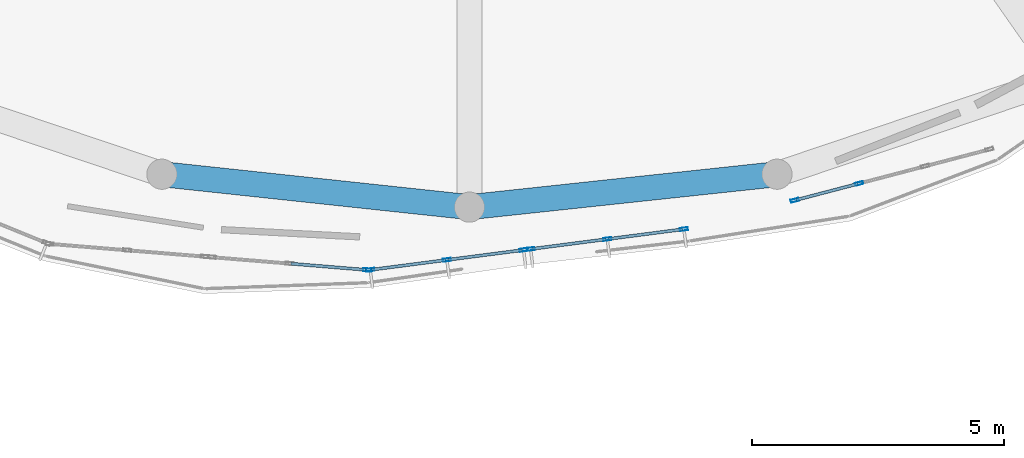
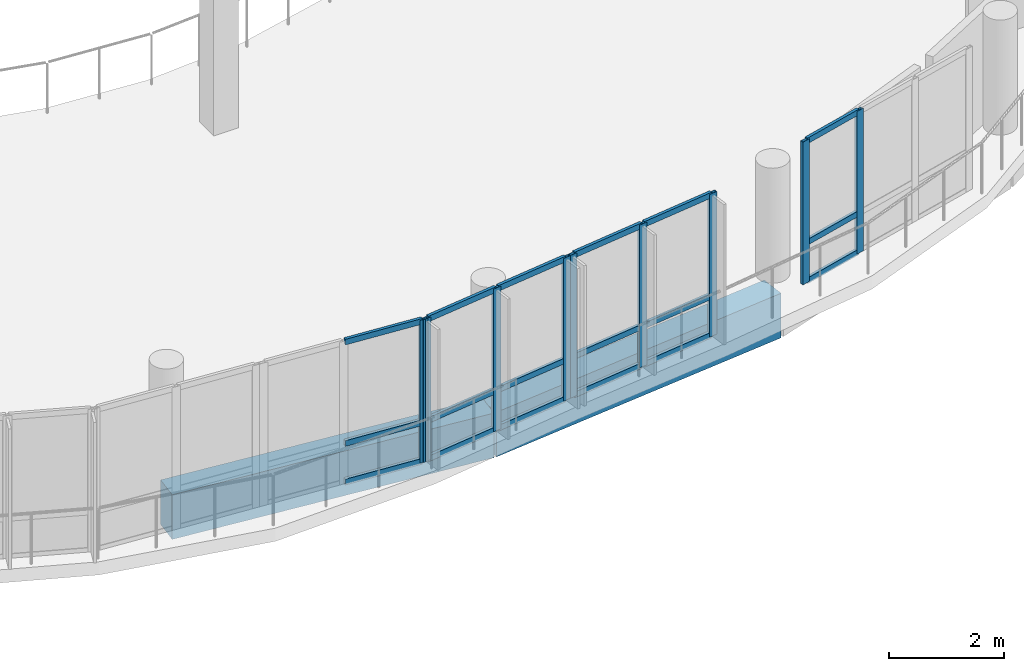
# One storey, part 6 of 43: 27 members, 2 beams, 4 elements without a shape of their own.
"""IFC4 building model written with IfcOpenShell, lengths in metres."""

from ifc_helpers import new_model, si_unit, derived_unit, direction, frame, origin, origin_2d, place, context, subcontext, project, spatial, rectangle, hollow_rectangle, extrude, material, layer, layer_set, material_profile, profile_set, type_object, element, aggregate, save


model = new_model("IFC4")

# Units and contexts
model_context = context("Model", 3, precision=1e-05, world=origin(), true_north=direction((0.0, 1.0)))
body_context = subcontext(model_context, "Body", "Model", "MODEL_VIEW")
ifc_project = project(units=[si_unit("LENGTHUNIT", "METRE"), si_unit("AREAUNIT", "SQUARE_METRE"), si_unit("VOLUMEUNIT", "CUBIC_METRE"), si_unit("PLANEANGLEUNIT", "RADIAN"), si_unit("MASSUNIT", "GRAM", prefix="KILO"), derived_unit("THERMALTRANSMITTANCEUNIT", [(si_unit("POWERUNIT", "WATT"), 1), (si_unit("LENGTHUNIT", "METRE"), -2), (si_unit("THERMODYNAMICTEMPERATUREUNIT", "KELVIN"), -1)])], contexts=[model_context])

# Site, building, storey
site_placement = place(None, origin())
site = spatial("IfcSite", under=ifc_project, at=site_placement, CompositionType="ELEMENT")
building_placement = place(site_placement, origin())
building = spatial("IfcBuilding", under=site, at=building_placement, Name="Elbkamm Science Centre", CompositionType="ELEMENT")
storey_placement = place(building_placement, frame((0.0, 0.0, 18.300048828125)))
storey = spatial("IfcBuildingStorey", under=building, at=storey_placement, Name="L04", CompositionType="ELEMENT", Elevation=18.300048828125)

# Beams
ifc_material_1 = material(Name="Concrete C40/50", Category="concrete")
ifc_material_profile_1 = material_profile(ifc_material_1, rectangle(XDim=0.5, YDim=0.949951171875, at=origin_2d()), Name="RC 500x950")
ifc_profile_set_1 = profile_set([ifc_material_profile_1], Name="Concrete C40/50")
beam_type = type_object("IfcBeamType", Name="BM-RC-500x950", PredefinedType="BEAM", material=ifc_profile_set_1)
for number, where, z_axis, x_axis, name in (
    (1, (56.89208984375, 48.654052734375, -0.755126953125), (0.994315467109, -0.106474184043, 0.0), (0.106474184043, 0.994315467109, 0.0), "L04 Elliptical Shell Perimeter Ring Beam 18"),
    (2, (63.0, 48.0, -0.755126953125), (0.994315467109, 0.106474184043, 0.0), (-0.106474184043, 0.994315467109, 0.0), "L04 Elliptical Shell Perimeter Ring Beam 19"),
):
    element("IfcBeam", number, at=place(storey_placement, frame(where, z_axis=z_axis, x_axis=x_axis)), inside=storey, type_object=beam_type, Name=name, PredefinedType="SPANDREL", context=body_context, shape_type="SweptSolid", body=[
        extrude(rectangle(XDim=0.5, YDim=0.949951171875, at=origin_2d()), origin(), (0.0, 0.0, 1.0), 6.142822265625),
    ])

# Curtain wall, member
ifc_material_2 = material(Name="Powder-coated aluminium and triple low-E glazing", Category="aluminium")
ifc_layer_1 = layer(ifc_material_2, 0.159912109375)
ifc_layer_set_1 = layer_set([ifc_layer_1], Name="Powder-coated aluminium and triple low-E glazing")
curtain_wall_type_1 = type_object("IfcCurtainWallType", Name="CW-UNIT-3160x3040", PredefinedType="USERDEFINED", material=ifc_layer_set_1)
curtain_wall_1_placement = place(storey_placement, origin())
curtain_wall_1 = element("IfcCurtainWall", 3, at=curtain_wall_1_placement, inside=storey, type_object=curtain_wall_type_1, Name="L04 Unitised Curtain Wall 097", ObjectType="UNITISED CURTAIN WALL", PredefinedType="USERDEFINED")
ifc_material_3 = material(Name="Powder-coated aluminium EN AW-6060", Category="aluminium")
ifc_material_profile_2 = material_profile(ifc_material_3, hollow_rectangle(XDim=0.06005859375, YDim=0.159912109375, WallThickness=0.00390625, at=origin_2d()), Name="ALU M60x160")
ifc_profile_set_2 = profile_set([ifc_material_profile_2], Name="Powder-coated aluminium EN AW-6060")
member_type_1 = type_object("IfcMemberType", Name="CW-MUL-60x160", PredefinedType="MULLION", material=ifc_profile_set_2)
member_1_placement = place(storey_placement, frame((60.97021484375, 46.75244140625, 0.0), z_axis=(0.0, 0.0, 1.0), x_axis=(0.081820228887, 0.996647104117, 0.0)))
member_1 = element("IfcMember", 4, at=member_1_placement, type_object=member_type_1, Name="CW-047 mullion 3", PredefinedType="MULLION", context=body_context, shape_type="SweptSolid", body=[
    extrude(hollow_rectangle(XDim=0.06005859375, YDim=0.159912109375, WallThickness=0.00390625, at=origin_2d()), origin(), (0.0, 0.0, 1.0), 3.0400390625),
])

# Curtain wall, members
ifc_layer_2 = layer(ifc_material_2, 0.159912109375)
ifc_layer_set_2 = layer_set([ifc_layer_2], Name="Powder-coated aluminium and triple low-E glazing")
curtain_wall_type_2 = type_object("IfcCurtainWallType", Name="CW-UNIT-3140x3040", PredefinedType="USERDEFINED", material=ifc_layer_set_2)
curtain_wall_2_placement = place(storey_placement, origin())
curtain_wall_2 = element("IfcCurtainWall", 5, at=curtain_wall_2_placement, inside=storey, type_object=curtain_wall_type_2, Name="L04 Unitised Curtain Wall 098", ObjectType="UNITISED CURTAIN WALL", PredefinedType="USERDEFINED")
member_2_placement = place(storey_placement, frame((61.02978515625, 46.75390625, 0.0), z_axis=(0.0, 0.0, 1.0), x_axis=(-0.128754721912, 0.991676470219, 0.0)))
member_2 = element("IfcMember", 6, at=member_2_placement, type_object=member_type_1, Name="CW-048 mullion 1", PredefinedType="MULLION", context=body_context, shape_type="SweptSolid", body=[
    extrude(hollow_rectangle(XDim=0.06005859375, YDim=0.159912109375, WallThickness=0.00390625, at=origin_2d()), origin(), (0.0, 0.0, 1.0), 3.0400390625),
])
member_3_placement = place(storey_placement, frame((62.55224609375, 46.95166015625, 0.0), z_axis=(0.0, 0.0, 1.0), x_axis=(-0.128754721912, 0.991676470219, 0.0)))
member_3 = element("IfcMember", 7, at=member_3_placement, type_object=member_type_1, Name="CW-048 mullion 2", PredefinedType="MULLION", context=body_context, shape_type="SweptSolid", body=[
    extrude(hollow_rectangle(XDim=0.06005859375, YDim=0.159912109375, WallThickness=0.00390625, at=origin_2d()), origin(), (0.0, 0.0, 1.0), 3.0400390625),
])
member_4_placement = place(storey_placement, frame((64.074951171875, 47.149169921875, 0.0), z_axis=(0.0, 0.0, 1.0), x_axis=(-0.128754721912, 0.991676470219, 0.0)))
member_4 = element("IfcMember", 8, at=member_4_placement, type_object=member_type_1, Name="CW-048 mullion 3", PredefinedType="MULLION", context=body_context, shape_type="SweptSolid", body=[
    extrude(hollow_rectangle(XDim=0.06005859375, YDim=0.159912109375, WallThickness=0.00390625, at=origin_2d()), origin(), (0.0, 0.0, 1.0), 3.0400390625),
])

curtain_wall_3_placement = place(storey_placement, origin())
curtain_wall_3 = element("IfcCurtainWall", 9, at=curtain_wall_3_placement, inside=storey, type_object=curtain_wall_type_2, Name="L04 Unitised Curtain Wall 099", ObjectType="UNITISED CURTAIN WALL", PredefinedType="USERDEFINED")
member_5_placement = place(storey_placement, frame((64.2138671875, 47.167236328125, 0.0), z_axis=(0.0, 0.0, 1.0), x_axis=(-0.128754721912, 0.991676470219, 0.0)))
member_5 = element("IfcMember", 10, at=member_5_placement, type_object=member_type_1, Name="CW-048 mullion 1", PredefinedType="MULLION", context=body_context, shape_type="SweptSolid", body=[
    extrude(hollow_rectangle(XDim=0.06005859375, YDim=0.159912109375, WallThickness=0.00390625, at=origin_2d()), origin(), (0.0, 0.0, 1.0), 3.0400390625),
])
member_6_placement = place(storey_placement, frame((65.736328125, 47.36474609375, 0.0), z_axis=(0.0, 0.0, 1.0), x_axis=(-0.128754721912, 0.991676470219, 0.0)))
member_6 = element("IfcMember", 11, at=member_6_placement, type_object=member_type_1, Name="CW-048 mullion 2", PredefinedType="MULLION", context=body_context, shape_type="SweptSolid", body=[
    extrude(hollow_rectangle(XDim=0.06005859375, YDim=0.159912109375, WallThickness=0.00390625, at=origin_2d()), origin(), (0.0, 0.0, 1.0), 3.0400390625),
])
member_7_placement = place(storey_placement, frame((67.259033203125, 47.5625, 0.0), z_axis=(0.0, 0.0, 1.0), x_axis=(-0.128754721912, 0.991676470219, 0.0)))
member_7 = element("IfcMember", 12, at=member_7_placement, type_object=member_type_1, Name="CW-048 mullion 3", PredefinedType="MULLION", context=body_context, shape_type="SweptSolid", body=[
    extrude(hollow_rectangle(XDim=0.06005859375, YDim=0.159912109375, WallThickness=0.00390625, at=origin_2d()), origin(), (0.0, 0.0, 1.0), 3.0400390625),
])

ifc_layer_3 = layer(ifc_material_2, 0.159912109375)
ifc_layer_set_3 = layer_set([ifc_layer_3], Name="Powder-coated aluminium and triple low-E glazing")
curtain_wall_type_3 = type_object("IfcCurtainWallType", Name="CW-UNIT-4060x3040", PredefinedType="USERDEFINED", material=ifc_layer_set_3)
curtain_wall_4_placement = place(storey_placement, origin())
curtain_wall_4 = element("IfcCurtainWall", 13, at=curtain_wall_4_placement, inside=storey, type_object=curtain_wall_type_3, Name="L04 Unitised Curtain Wall 100", ObjectType="UNITISED CURTAIN WALL", PredefinedType="USERDEFINED")
member_8_placement = place(storey_placement, frame((69.460205078125, 48.134765625, 0.0), z_axis=(0.0, 0.0, 1.0), x_axis=(-0.253208377553, 0.967411762145, 0.0)))
member_8 = element("IfcMember", 14, at=member_8_placement, type_object=member_type_1, Name="CW-049 mullion 1", PredefinedType="MULLION", context=body_context, shape_type="SweptSolid", body=[
    extrude(hollow_rectangle(XDim=0.06005859375, YDim=0.159912109375, WallThickness=0.00390625, at=origin_2d()), origin(), (0.0, 0.0, 1.0), 3.0400390625),
])
member_9_placement = place(storey_placement, frame((70.73974609375, 48.4697265625, 0.0), z_axis=(0.0, 0.0, 1.0), x_axis=(-0.253208377553, 0.967411762145, 0.0)))
member_9 = element("IfcMember", 15, at=member_9_placement, type_object=member_type_1, Name="CW-049 mullion 2", PredefinedType="MULLION", context=body_context, shape_type="SweptSolid", body=[
    extrude(hollow_rectangle(XDim=0.06005859375, YDim=0.159912109375, WallThickness=0.00390625, at=origin_2d()), origin(), (0.0, 0.0, 1.0), 3.0400390625),
])

# Member
ifc_material_profile_3 = material_profile(ifc_material_3, hollow_rectangle(XDim=0.06005859375, YDim=0.1201171875, WallThickness=0.00341796875, at=origin_2d()), Name="ALU T60x120")
ifc_profile_set_3 = profile_set([ifc_material_profile_3], Name="Powder-coated aluminium EN AW-6060")
member_type_2 = type_object("IfcMemberType", Name="CW-TRN-60x120", PredefinedType="USERDEFINED", material=ifc_profile_set_3)
member_10_placement = place(storey_placement, frame((59.4580078125, 46.876708984375, 0.030029296875), z_axis=(0.996639089945, -0.08191779046, 0.0), x_axis=(0.08191779046, 0.996639089945, 0.0)))
member_10 = element("IfcMember", 16, at=member_10_placement, type_object=member_type_2, Name="CW-047 transom 2.1", ObjectType="TRANSOM", PredefinedType="USERDEFINED", context=body_context, shape_type="SweptSolid", body=[
    extrude(hollow_rectangle(XDim=0.06005859375, YDim=0.1201171875, WallThickness=0.00341796875, at=origin_2d()), origin(), (0.0, 0.0, 1.0), 1.487060546875),
])

member_11_placement = place(storey_placement, frame((59.4580078125, 46.876708984375, 0.849853515625), z_axis=(0.996639089945, -0.08191779046, 0.0), x_axis=(0.08191779046, 0.996639089945, 0.0)))
member_11 = element("IfcMember", 17, at=member_11_placement, type_object=member_type_2, Name="CW-047 transom 2.2", ObjectType="TRANSOM", PredefinedType="USERDEFINED", context=body_context, shape_type="SweptSolid", body=[
    extrude(hollow_rectangle(XDim=0.06005859375, YDim=0.1201171875, WallThickness=0.00341796875, at=origin_2d()), origin(), (0.0, 0.0, 1.0), 1.487060546875),
])

member_12_placement = place(storey_placement, frame((59.4580078125, 46.876708984375, 3.010009765625), z_axis=(0.996639089945, -0.08191779046, 0.0), x_axis=(0.08191779046, 0.996639089945, 0.0)))
member_12 = element("IfcMember", 18, at=member_12_placement, type_object=member_type_2, Name="CW-047 transom 2.3", ObjectType="TRANSOM", PredefinedType="USERDEFINED", context=body_context, shape_type="SweptSolid", body=[
    extrude(hollow_rectangle(XDim=0.06005859375, YDim=0.1201171875, WallThickness=0.00341796875, at=origin_2d()), origin(), (0.0, 0.0, 1.0), 1.487060546875),
])

aggregate(curtain_wall_1, [member_1, member_10, member_11, member_12])

member_13_placement = place(storey_placement, frame((61.0595703125, 46.7578125, 0.030029296875), z_axis=(0.991678659304, 0.128737860327, 0.0), x_axis=(-0.128737860327, 0.991678659304, 0.0)))
member_13 = element("IfcMember", 19, at=member_13_placement, type_object=member_type_2, Name="CW-048 transom 1.1", ObjectType="TRANSOM", PredefinedType="USERDEFINED", context=body_context, shape_type="SweptSolid", body=[
    extrude(hollow_rectangle(XDim=0.06005859375, YDim=0.1201171875, WallThickness=0.00341796875, at=origin_2d()), origin(), (0.0, 0.0, 1.0), 1.475341796875),
])

member_14_placement = place(storey_placement, frame((61.0595703125, 46.7578125, 0.849853515625), z_axis=(0.991678659304, 0.128737860327, 0.0), x_axis=(-0.128737860327, 0.991678659304, 0.0)))
member_14 = element("IfcMember", 20, at=member_14_placement, type_object=member_type_2, Name="CW-048 transom 1.2", ObjectType="TRANSOM", PredefinedType="USERDEFINED", context=body_context, shape_type="SweptSolid", body=[
    extrude(hollow_rectangle(XDim=0.06005859375, YDim=0.1201171875, WallThickness=0.00341796875, at=origin_2d()), origin(), (0.0, 0.0, 1.0), 1.475341796875),
])

member_15_placement = place(storey_placement, frame((61.0595703125, 46.7578125, 3.010009765625), z_axis=(0.991678659304, 0.128737860327, 0.0), x_axis=(-0.128737860327, 0.991678659304, 0.0)))
member_15 = element("IfcMember", 21, at=member_15_placement, type_object=member_type_2, Name="CW-048 transom 1.3", ObjectType="TRANSOM", PredefinedType="USERDEFINED", context=body_context, shape_type="SweptSolid", body=[
    extrude(hollow_rectangle(XDim=0.06005859375, YDim=0.1201171875, WallThickness=0.00341796875, at=origin_2d()), origin(), (0.0, 0.0, 1.0), 1.475341796875),
])

member_16_placement = place(storey_placement, frame((62.58203125, 46.955322265625, 0.030029296875), z_axis=(0.991678659304, 0.128737860327, 0.0), x_axis=(-0.128737860327, 0.991678659304, 0.0)))
member_16 = element("IfcMember", 22, at=member_16_placement, type_object=member_type_2, Name="CW-048 transom 2.1", ObjectType="TRANSOM", PredefinedType="USERDEFINED", context=body_context, shape_type="SweptSolid", body=[
    extrude(hollow_rectangle(XDim=0.06005859375, YDim=0.1201171875, WallThickness=0.00341796875, at=origin_2d()), origin(), (0.0, 0.0, 1.0), 1.475341796875),
])

member_17_placement = place(storey_placement, frame((62.58203125, 46.955322265625, 0.849853515625), z_axis=(0.991678659304, 0.128737860327, 0.0), x_axis=(-0.128737860327, 0.991678659304, 0.0)))
member_17 = element("IfcMember", 23, at=member_17_placement, type_object=member_type_2, Name="CW-048 transom 2.2", ObjectType="TRANSOM", PredefinedType="USERDEFINED", context=body_context, shape_type="SweptSolid", body=[
    extrude(hollow_rectangle(XDim=0.06005859375, YDim=0.1201171875, WallThickness=0.00341796875, at=origin_2d()), origin(), (0.0, 0.0, 1.0), 1.475341796875),
])

member_18_placement = place(storey_placement, frame((62.58203125, 46.955322265625, 3.010009765625), z_axis=(0.991678659304, 0.128737860327, 0.0), x_axis=(-0.128737860327, 0.991678659304, 0.0)))
member_18 = element("IfcMember", 24, at=member_18_placement, type_object=member_type_2, Name="CW-048 transom 2.3", ObjectType="TRANSOM", PredefinedType="USERDEFINED", context=body_context, shape_type="SweptSolid", body=[
    extrude(hollow_rectangle(XDim=0.06005859375, YDim=0.1201171875, WallThickness=0.00341796875, at=origin_2d()), origin(), (0.0, 0.0, 1.0), 1.475341796875),
])

aggregate(curtain_wall_2, [member_2, member_3, member_4, member_13, member_14, member_15, member_16, member_17, member_18])

member_19_placement = place(storey_placement, frame((64.24365234375, 47.171142578125, 0.030029296875), z_axis=(0.991678659304, 0.128737860327, 0.0), x_axis=(-0.128737860327, 0.991678659304, 0.0)))
member_19 = element("IfcMember", 25, at=member_19_placement, type_object=member_type_2, Name="CW-048 transom 1.1", ObjectType="TRANSOM", PredefinedType="USERDEFINED", context=body_context, shape_type="SweptSolid", body=[
    extrude(hollow_rectangle(XDim=0.06005859375, YDim=0.1201171875, WallThickness=0.00341796875, at=origin_2d()), origin(), (0.0, 0.0, 1.0), 1.475341796875),
])

member_20_placement = place(storey_placement, frame((64.24365234375, 47.171142578125, 0.849853515625), z_axis=(0.991678659304, 0.128737860327, 0.0), x_axis=(-0.128737860327, 0.991678659304, 0.0)))
member_20 = element("IfcMember", 26, at=member_20_placement, type_object=member_type_2, Name="CW-048 transom 1.2", ObjectType="TRANSOM", PredefinedType="USERDEFINED", context=body_context, shape_type="SweptSolid", body=[
    extrude(hollow_rectangle(XDim=0.06005859375, YDim=0.1201171875, WallThickness=0.00341796875, at=origin_2d()), origin(), (0.0, 0.0, 1.0), 1.475341796875),
])

member_21_placement = place(storey_placement, frame((64.24365234375, 47.171142578125, 3.010009765625), z_axis=(0.991678659304, 0.128737860327, 0.0), x_axis=(-0.128737860327, 0.991678659304, 0.0)))
member_21 = element("IfcMember", 27, at=member_21_placement, type_object=member_type_2, Name="CW-048 transom 1.3", ObjectType="TRANSOM", PredefinedType="USERDEFINED", context=body_context, shape_type="SweptSolid", body=[
    extrude(hollow_rectangle(XDim=0.06005859375, YDim=0.1201171875, WallThickness=0.00341796875, at=origin_2d()), origin(), (0.0, 0.0, 1.0), 1.475341796875),
])

member_22_placement = place(storey_placement, frame((65.76611328125, 47.36865234375, 0.030029296875), z_axis=(0.991678659304, 0.128737860327, 0.0), x_axis=(-0.128737860327, 0.991678659304, 0.0)))
member_22 = element("IfcMember", 28, at=member_22_placement, type_object=member_type_2, Name="CW-048 transom 2.1", ObjectType="TRANSOM", PredefinedType="USERDEFINED", context=body_context, shape_type="SweptSolid", body=[
    extrude(hollow_rectangle(XDim=0.06005859375, YDim=0.1201171875, WallThickness=0.00341796875, at=origin_2d()), origin(), (0.0, 0.0, 1.0), 1.475341796875),
])

member_23_placement = place(storey_placement, frame((65.76611328125, 47.36865234375, 0.849853515625), z_axis=(0.991678659304, 0.128737860327, 0.0), x_axis=(-0.128737860327, 0.991678659304, 0.0)))
member_23 = element("IfcMember", 29, at=member_23_placement, type_object=member_type_2, Name="CW-048 transom 2.2", ObjectType="TRANSOM", PredefinedType="USERDEFINED", context=body_context, shape_type="SweptSolid", body=[
    extrude(hollow_rectangle(XDim=0.06005859375, YDim=0.1201171875, WallThickness=0.00341796875, at=origin_2d()), origin(), (0.0, 0.0, 1.0), 1.475341796875),
])

member_24_placement = place(storey_placement, frame((65.76611328125, 47.36865234375, 3.010009765625), z_axis=(0.991678659304, 0.128737860327, 0.0), x_axis=(-0.128737860327, 0.991678659304, 0.0)))
member_24 = element("IfcMember", 30, at=member_24_placement, type_object=member_type_2, Name="CW-048 transom 2.3", ObjectType="TRANSOM", PredefinedType="USERDEFINED", context=body_context, shape_type="SweptSolid", body=[
    extrude(hollow_rectangle(XDim=0.06005859375, YDim=0.1201171875, WallThickness=0.00341796875, at=origin_2d()), origin(), (0.0, 0.0, 1.0), 1.475341796875),
])

aggregate(curtain_wall_3, [member_5, member_6, member_7, member_19, member_20, member_21, member_22, member_23, member_24])

member_25_placement = place(storey_placement, frame((69.4892578125, 48.142333984375, 0.030029296875), z_axis=(0.967386890552, 0.253303383295, 0.0), x_axis=(-0.253303383295, 0.967386890552, 0.0)))
member_25 = element("IfcMember", 31, at=member_25_placement, type_object=member_type_2, Name="CW-049 transom 1.1", ObjectType="TRANSOM", PredefinedType="USERDEFINED", context=body_context, shape_type="SweptSolid", body=[
    extrude(hollow_rectangle(XDim=0.06005859375, YDim=0.1201171875, WallThickness=0.00341796875, at=origin_2d()), origin(), (0.0, 0.0, 1.0), 1.2626953125),
])

member_26_placement = place(storey_placement, frame((69.4892578125, 48.142333984375, 0.849853515625), z_axis=(0.967386890552, 0.253303383295, 0.0), x_axis=(-0.253303383295, 0.967386890552, 0.0)))
member_26 = element("IfcMember", 32, at=member_26_placement, type_object=member_type_2, Name="CW-049 transom 1.2", ObjectType="TRANSOM", PredefinedType="USERDEFINED", context=body_context, shape_type="SweptSolid", body=[
    extrude(hollow_rectangle(XDim=0.06005859375, YDim=0.1201171875, WallThickness=0.00341796875, at=origin_2d()), origin(), (0.0, 0.0, 1.0), 1.2626953125),
])

member_27_placement = place(storey_placement, frame((69.4892578125, 48.142333984375, 3.010009765625), z_axis=(0.967386890552, 0.253303383295, 0.0), x_axis=(-0.253303383295, 0.967386890552, 0.0)))
member_27 = element("IfcMember", 33, at=member_27_placement, type_object=member_type_2, Name="CW-049 transom 1.3", ObjectType="TRANSOM", PredefinedType="USERDEFINED", context=body_context, shape_type="SweptSolid", body=[
    extrude(hollow_rectangle(XDim=0.06005859375, YDim=0.1201171875, WallThickness=0.00341796875, at=origin_2d()), origin(), (0.0, 0.0, 1.0), 1.2626953125),
])

aggregate(curtain_wall_4, [member_8, member_9, member_25, member_26, member_27])

save(model, "model.ifc")
